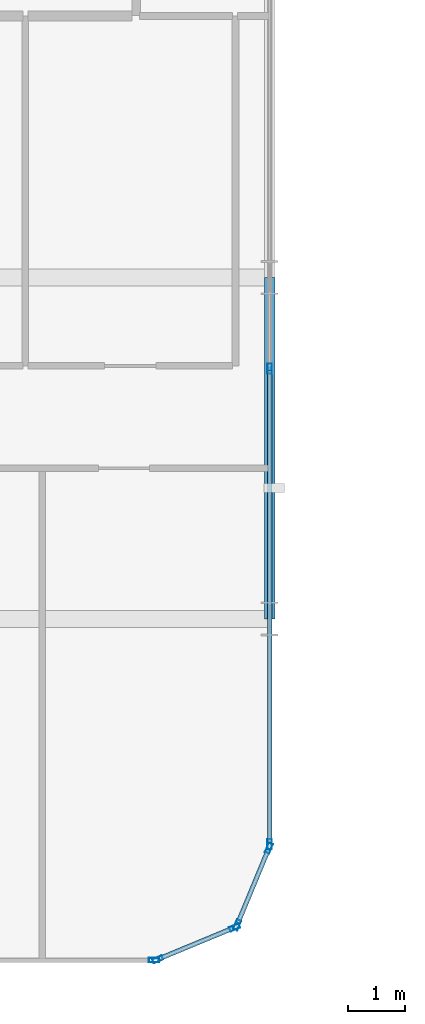
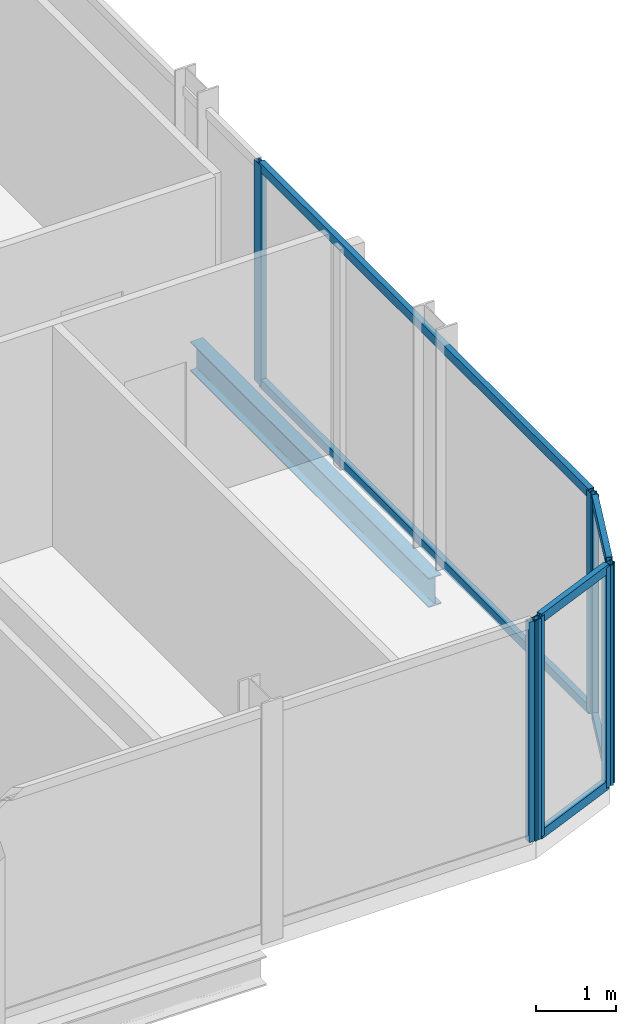
# One storey, part 10 of 29: 13 members, 1 beam, 4 elements without a shape of their own.
"""IFC4 building model written with IfcOpenShell, lengths in metres."""

from ifc_helpers import new_model, si_unit, direction, frame, origin, origin_2d, place, context, subcontext, project, spatial, hollow_rectangle, i_section, extrude, material, layer, layer_set, material_profile, profile_set, type_object, element, aggregate, save


model = new_model("IFC4")

# Units and contexts
model_context = context("Model", 3, precision=1e-05, world=origin(), true_north=direction((0.0, 1.0)))
body_context = subcontext(model_context, "Body", "Model", "MODEL_VIEW")
ifc_project = project(units=[si_unit("LENGTHUNIT", "METRE"), si_unit("AREAUNIT", "SQUARE_METRE"), si_unit("VOLUMEUNIT", "CUBIC_METRE"), si_unit("PLANEANGLEUNIT", "RADIAN"), si_unit("MASSUNIT", "GRAM", prefix="KILO")], contexts=[model_context])

# Site, building, storey
site_placement = place(None, origin())
site = spatial("IfcSite", under=ifc_project, at=site_placement, CompositionType="ELEMENT")
building_placement = place(site_placement, origin())
building = spatial("IfcBuilding", under=site, at=building_placement, Name="Keshet Zoharim Tower", CompositionType="ELEMENT")
storey_placement = place(building_placement, frame((0.0, 0.0, 102.0)))
storey = spatial("IfcBuildingStorey", under=building, at=storey_placement, Name="L24", CompositionType="ELEMENT", Elevation=102.0)

# Beam
ifc_material_1 = material(Name="Steel S355", Category="steel")
ifc_material_profile_1 = material_profile(ifc_material_1, i_section(OverallWidth=0.18994140625, OverallDepth=0.449951171875, WebThickness=0.009521484375, FlangeThickness=0.0146484375, FilletRadius=0.02099609375, at=origin_2d()), Name="IPE450")
ifc_profile_set_1 = profile_set([ifc_material_profile_1], Name="Steel S355")
beam_type = type_object("IfcBeamType", Name="BM-PRI-IP450", PredefinedType="BEAM", material=ifc_profile_set_1)
beam_placement = place(storey_placement, frame((57.0, 6.699951171875, -0.5400390625), z_axis=(0.0, 1.0, 0.0), x_axis=(-1.0, 0.0, 0.0)))
element("IfcBeam", 1, at=beam_placement, inside=storey, type_object=beam_type, Name="L24 Primary Girder Y-013", PredefinedType="BEAM", context=body_context, shape_type="SweptSolid", body=[
    extrude(i_section(OverallWidth=0.18994140625, OverallDepth=0.449951171875, WebThickness=0.009521484375, FlangeThickness=0.0146484375, FilletRadius=0.02099609375, at=origin_2d()), origin(), (0.0, 0.0, 1.0), 6.0),
])

# Curtain wall, members
ifc_material_2 = material(Name="Aluminium 6063-T6", Category="aluminium")
ifc_layer = layer(ifc_material_2, 0.159912109375)
ifc_layer_set = layer_set([ifc_layer], Name="Aluminium 6063-T6")
curtain_wall_type = type_object("IfcCurtainWallType", Name="CW-SYS-03", PredefinedType="NOTDEFINED", material=ifc_layer_set)
curtain_wall_1_placement = place(storey_placement, origin())
curtain_wall_1 = element("IfcCurtainWall", 2, at=curtain_wall_1_placement, inside=storey, type_object=curtain_wall_type, Name="L24 Unitised Curtain Wall 01", PredefinedType="NOTDEFINED")
ifc_material_profile_2 = material_profile(ifc_material_2, hollow_rectangle(XDim=0.080078125, YDim=0.179931640625, WallThickness=0.00439453125, at=origin_2d()), Name="MUL-80x180")
ifc_profile_set_2 = profile_set([ifc_material_profile_2], Name="Aluminium 6063-T6")
member_type_1 = type_object("IfcMemberType", Name="CWM-M18", PredefinedType="MULLION", material=ifc_profile_set_2)
member_1_placement = place(storey_placement, frame((56.986572265625, 2.667724609375, 0.0), z_axis=(0.0, 0.0, 1.0), x_axis=(0.92380975372, -0.382851849847, 0.0)))
member_1 = element("IfcMember", 3, at=member_1_placement, type_object=member_type_1, Name="CW-03 mullion 1", PredefinedType="MULLION", context=body_context, shape_type="SweptSolid", body=[
    extrude(hollow_rectangle(XDim=0.080078125, YDim=0.179931640625, WallThickness=0.00439453125, at=origin_2d()), origin(), (0.0, 0.0, 1.0), 3.385009765625),
])
member_2_placement = place(storey_placement, frame((56.427490234375, 1.318359375, 0.0), z_axis=(0.0, 0.0, 1.0), x_axis=(0.92380975372, -0.382851849847, 0.0)))
member_2 = element("IfcMember", 4, at=member_2_placement, type_object=member_type_1, Name="CW-03 mullion 2", PredefinedType="MULLION", context=body_context, shape_type="SweptSolid", body=[
    extrude(hollow_rectangle(XDim=0.080078125, YDim=0.179931640625, WallThickness=0.00439453125, at=origin_2d()), origin(), (0.0, 0.0, 1.0), 3.385009765625),
])

curtain_wall_2_placement = place(storey_placement, origin())
curtain_wall_2 = element("IfcCurtainWall", 5, at=curtain_wall_2_placement, inside=storey, type_object=curtain_wall_type, Name="L24 Unitised Curtain Wall 02", PredefinedType="NOTDEFINED")
member_3_placement = place(storey_placement, frame((56.381591796875, 1.272705078125, 0.0), z_axis=(0.0, 0.0, 1.0), x_axis=(0.382851849847, -0.92380975372, 0.0)))
member_3 = element("IfcMember", 6, at=member_3_placement, type_object=member_type_1, Name="CW-03 mullion 1", PredefinedType="MULLION", context=body_context, shape_type="SweptSolid", body=[
    extrude(hollow_rectangle(XDim=0.080078125, YDim=0.179931640625, WallThickness=0.00439453125, at=origin_2d()), origin(), (0.0, 0.0, 1.0), 3.385009765625),
])
member_4_placement = place(storey_placement, frame((55.0322265625, 0.71337890625, 0.0), z_axis=(0.0, 0.0, 1.0), x_axis=(0.382851849847, -0.92380975372, 0.0)))
member_4 = element("IfcMember", 7, at=member_4_placement, type_object=member_type_1, Name="CW-03 mullion 2", PredefinedType="MULLION", context=body_context, shape_type="SweptSolid", body=[
    extrude(hollow_rectangle(XDim=0.080078125, YDim=0.179931640625, WallThickness=0.00439453125, at=origin_2d()), origin(), (0.0, 0.0, 1.0), 3.385009765625),
])

# Curtain wall, member
curtain_wall_3_placement = place(storey_placement, origin())
curtain_wall_3 = element("IfcCurtainWall", 8, at=curtain_wall_3_placement, inside=storey, type_object=curtain_wall_type, Name="L24 Unitised Curtain Wall 03", PredefinedType="NOTDEFINED")
member_5_placement = place(storey_placement, frame((54.965087890625, 0.699951171875, 0.0), z_axis=(0.0, 0.0, 1.0), x_axis=(0.0, -1.0, 0.0)))
member_5 = element("IfcMember", 9, at=member_5_placement, type_object=member_type_1, Name="CW-03 mullion 1", PredefinedType="MULLION", context=body_context, shape_type="SweptSolid", body=[
    extrude(hollow_rectangle(XDim=0.080078125, YDim=0.179931640625, WallThickness=0.00439453125, at=origin_2d()), origin(), (0.0, 0.0, 1.0), 3.385009765625),
])
aggregate(curtain_wall_3, [member_5])

# Curtain wall, members
curtain_wall_4_placement = place(storey_placement, origin())
curtain_wall_4 = element("IfcCurtainWall", 10, at=curtain_wall_4_placement, inside=storey, type_object=curtain_wall_type, Name="L24 Unitised Curtain Wall 19", PredefinedType="NOTDEFINED")
member_6_placement = place(storey_placement, frame((57.0, 11.10009765625, 0.0), z_axis=(0.0, 0.0, 1.0), x_axis=(1.0, 0.0, 0.0)))
member_6 = element("IfcMember", 11, at=member_6_placement, type_object=member_type_1, Name="CW-03 mullion 3", PredefinedType="MULLION", context=body_context, shape_type="SweptSolid", body=[
    extrude(hollow_rectangle(XDim=0.080078125, YDim=0.179931640625, WallThickness=0.00439453125, at=origin_2d()), origin(), (0.0, 0.0, 1.0), 3.385009765625),
])
member_7_placement = place(storey_placement, frame((57.0, 2.735107421875, 0.0), z_axis=(0.0, 0.0, 1.0), x_axis=(1.0, 0.0, 0.0)))
member_7 = element("IfcMember", 12, at=member_7_placement, type_object=member_type_1, Name="CW-03 mullion 4", PredefinedType="MULLION", context=body_context, shape_type="SweptSolid", body=[
    extrude(hollow_rectangle(XDim=0.080078125, YDim=0.179931640625, WallThickness=0.00439453125, at=origin_2d()), origin(), (0.0, 0.0, 1.0), 3.385009765625),
])

# Member
ifc_material_profile_3 = material_profile(ifc_material_2, hollow_rectangle(XDim=0.080078125, YDim=0.139892578125, WallThickness=0.00390625, at=origin_2d()), Name="TRN-80x140")
ifc_profile_set_3 = profile_set([ifc_material_profile_3], Name="Aluminium 6063-T6")
member_type_2 = type_object("IfcMemberType", Name="CWT-T14", PredefinedType="USERDEFINED", material=ifc_profile_set_3)
member_8_placement = place(storey_placement, frame((56.97314453125, 2.63525390625, 0.034912109375), z_axis=(-0.382744609247, -0.923854189844, 0.0), x_axis=(0.923854189844, -0.382744609247, 0.0)))
member_8 = element("IfcMember", 13, at=member_8_placement, type_object=member_type_2, Name="CW-03 transom 1.1", ObjectType="TRANSOM", PredefinedType="USERDEFINED", context=body_context, shape_type="SweptSolid", body=[
    extrude(hollow_rectangle(XDim=0.080078125, YDim=0.139892578125, WallThickness=0.00390625, at=origin_2d()), origin(), (0.0, 0.0, 1.0), 1.390625),
])

member_9_placement = place(storey_placement, frame((56.97314453125, 2.63525390625, 3.35009765625), z_axis=(-0.382744609247, -0.923854189844, 0.0), x_axis=(0.923854189844, -0.382744609247, 0.0)))
member_9 = element("IfcMember", 14, at=member_9_placement, type_object=member_type_2, Name="CW-03 transom 1.2", ObjectType="TRANSOM", PredefinedType="USERDEFINED", context=body_context, shape_type="SweptSolid", body=[
    extrude(hollow_rectangle(XDim=0.080078125, YDim=0.139892578125, WallThickness=0.00390625, at=origin_2d()), origin(), (0.0, 0.0, 1.0), 1.390625),
])

aggregate(curtain_wall_1, [member_1, member_2, member_8, member_9])

member_10_placement = place(storey_placement, frame((56.349365234375, 1.25927734375, 0.034912109375), z_axis=(-0.92379209995, -0.382894445076, 0.0), x_axis=(0.382894445076, -0.92379209995, 0.0)))
member_10 = element("IfcMember", 15, at=member_10_placement, type_object=member_type_2, Name="CW-03 transom 1.1", ObjectType="TRANSOM", PredefinedType="USERDEFINED", context=body_context, shape_type="SweptSolid", body=[
    extrude(hollow_rectangle(XDim=0.080078125, YDim=0.139892578125, WallThickness=0.00390625, at=origin_2d()), origin(), (0.0, 0.0, 1.0), 1.390625),
])

member_11_placement = place(storey_placement, frame((56.349365234375, 1.25927734375, 3.35009765625), z_axis=(-0.92379209995, -0.382894445076, 0.0), x_axis=(0.382894445076, -0.92379209995, 0.0)))
member_11 = element("IfcMember", 16, at=member_11_placement, type_object=member_type_2, Name="CW-03 transom 1.2", ObjectType="TRANSOM", PredefinedType="USERDEFINED", context=body_context, shape_type="SweptSolid", body=[
    extrude(hollow_rectangle(XDim=0.080078125, YDim=0.139892578125, WallThickness=0.00390625, at=origin_2d()), origin(), (0.0, 0.0, 1.0), 1.390625),
])

aggregate(curtain_wall_2, [member_3, member_4, member_10, member_11])

member_12_placement = place(storey_placement, frame((57.0, 11.06494140625, 0.034912109375), z_axis=(0.0, -1.0, 0.0), x_axis=(1.0, 0.0, 0.0)))
member_12 = element("IfcMember", 17, at=member_12_placement, type_object=member_type_2, Name="CW-03 transom 3.1", ObjectType="TRANSOM", PredefinedType="USERDEFINED", context=body_context, shape_type="SweptSolid", body=[
    extrude(hollow_rectangle(XDim=0.080078125, YDim=0.139892578125, WallThickness=0.00390625, at=origin_2d()), origin(), (0.0, 0.0, 1.0), 8.294921875),
])

member_13_placement = place(storey_placement, frame((57.0, 11.06494140625, 3.35009765625), z_axis=(0.0, -1.0, 0.0), x_axis=(1.0, 0.0, 0.0)))
member_13 = element("IfcMember", 18, at=member_13_placement, type_object=member_type_2, Name="CW-03 transom 3.2", ObjectType="TRANSOM", PredefinedType="USERDEFINED", context=body_context, shape_type="SweptSolid", body=[
    extrude(hollow_rectangle(XDim=0.080078125, YDim=0.139892578125, WallThickness=0.00390625, at=origin_2d()), origin(), (0.0, 0.0, 1.0), 8.294921875),
])

aggregate(curtain_wall_4, [member_6, member_7, member_12, member_13])

save(model, "model.ifc")
